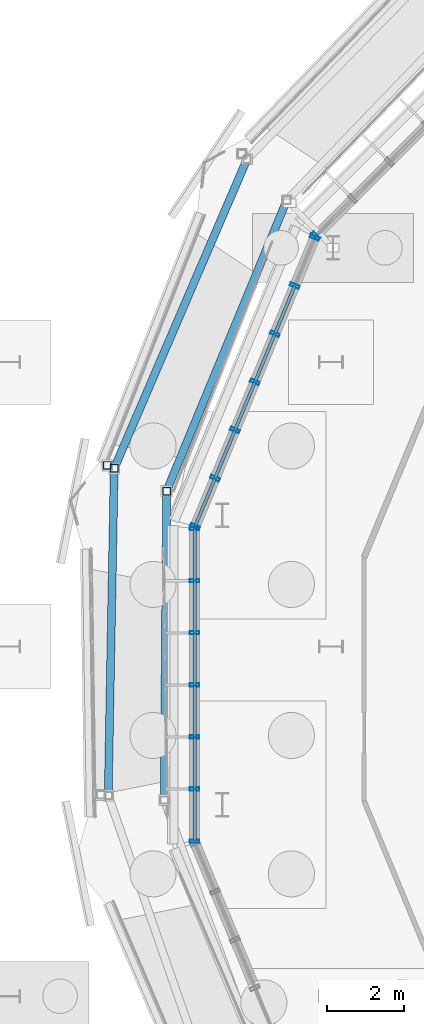
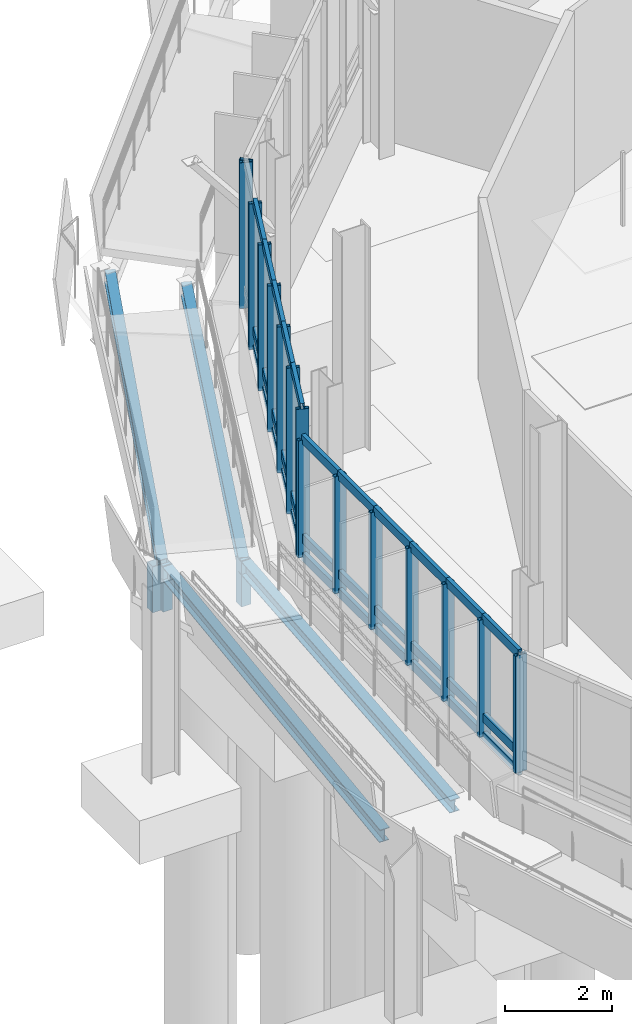
# One storey, part 48 of 119: 51 members, 4 beams, 3 elements without a shape of their own.
"""IFC4 building model written with IfcOpenShell, lengths in metres."""

from ifc_helpers import new_model, si_unit, derived_unit, direction, frame, origin, origin_2d, place, context, subcontext, project, spatial, hollow_rectangle, i_section, extrude, material, layer, layer_set, material_profile, profile_set, type_object, element, aggregate, save


model = new_model("IFC4")

# Units and contexts
model_context = context("Model", 3, precision=1e-05, world=origin(), true_north=direction((0.0, 1.0)))
body_context = subcontext(model_context, "Body", "Model", "MODEL_VIEW")
ifc_project = project(units=[si_unit("LENGTHUNIT", "METRE"), si_unit("AREAUNIT", "SQUARE_METRE"), si_unit("VOLUMEUNIT", "CUBIC_METRE"), si_unit("PLANEANGLEUNIT", "RADIAN"), si_unit("MASSUNIT", "GRAM", prefix="KILO"), derived_unit("THERMALTRANSMITTANCEUNIT", [(si_unit("MASSUNIT", "GRAM", prefix="KILO"), 1), (si_unit("TIMEUNIT", "SECOND"), -3), (si_unit("THERMODYNAMICTEMPERATUREUNIT", "KELVIN"), -1)])], contexts=[model_context])

# Site, building, storey
site_placement = place(None, origin())
site = spatial("IfcSite", under=ifc_project, at=site_placement, CompositionType="ELEMENT")
building_placement = place(site_placement, origin())
building = spatial("IfcBuilding", under=site, at=building_placement, Name="Makaiwela Harbour Ferry Terminal", CompositionType="ELEMENT")
storey_placement = place(building_placement, origin())
storey = spatial("IfcBuildingStorey", under=building, at=storey_placement, Name="L00", CompositionType="ELEMENT", Elevation=0.0)

# Curtain wall, member
ifc_material_1 = material(Name="Marine anodised aluminium 6063-T6", Category="aluminium")
ifc_layer_1 = layer(ifc_material_1, 0.199951171875)
ifc_layer_set_1 = layer_set([ifc_layer_1], Name="Marine anodised aluminium 6063-T6")
curtain_wall_type_1 = type_object("IfcCurtainWallType", Name="ENV-CW-01", PredefinedType="USERDEFINED", material=ifc_layer_set_1)
curtain_wall_1_placement = place(storey_placement, origin())
curtain_wall_1 = element("IfcCurtainWall", 1, at=curtain_wall_1_placement, inside=storey, type_object=curtain_wall_type_1, Name="Unitised Curtain Wall CWA-004", ObjectType="UNITIZED CURTAIN WALL", PredefinedType="USERDEFINED")
ifc_material_profile_1 = material_profile(ifc_material_1, hollow_rectangle(XDim=0.0849609375, YDim=0.25, WallThickness=0.0048828125, at=origin_2d()), Name="CWM-250X85")
ifc_profile_set_1 = profile_set([ifc_material_profile_1], Name="Marine anodised aluminium 6063-T6")
member_type_1 = type_object("IfcMemberType", Name="CW-MUL-250", PredefinedType="MULLION", material=ifc_profile_set_1)
member_1_placement = place(storey_placement, frame((20.6103515625, 79.13818359375, 1.47998046875), z_axis=(0.0, 0.0, 1.0), x_axis=(0.707106781187, 0.707106781187, 0.0)))
member_1 = element("IfcMember", 2, at=member_1_placement, type_object=member_type_1, Name="Curtain Wall Mullion CWA-004-7", PredefinedType="MULLION", context=body_context, shape_type="SweptSolid", body=[
    extrude(hollow_rectangle(XDim=0.0849609375, YDim=0.25, WallThickness=0.0048828125, at=origin_2d()), origin(), (0.0, 0.0, 1.0), 3.340087890625),
])
aggregate(curtain_wall_1, [member_1])

# Curtain wall, members
curtain_wall_2_placement = place(storey_placement, origin())
curtain_wall_2 = element("IfcCurtainWall", 3, at=curtain_wall_2_placement, inside=storey, type_object=curtain_wall_type_1, Name="Unitised Curtain Wall CWA-005", ObjectType="UNITIZED CURTAIN WALL", PredefinedType="USERDEFINED")
member_2_placement = place(storey_placement, frame((20.57763671875, 79.08935546875, 1.47998046875), z_axis=(0.0, 0.0, 1.0), x_axis=(0.382683432365, 0.923879532511, 0.0)))
member_2 = element("IfcMember", 4, at=member_2_placement, type_object=member_type_1, Name="Curtain Wall Mullion CWA-005-1", PredefinedType="MULLION", context=body_context, shape_type="SweptSolid", body=[
    extrude(hollow_rectangle(XDim=0.0849609375, YDim=0.25, WallThickness=0.0048828125, at=origin_2d()), origin(), (0.0, 0.0, 1.0), 3.340087890625),
])
member_3_placement = place(storey_placement, frame((20.058837890625, 77.8369140625, 1.47998046875), z_axis=(0.0, 0.0, 1.0), x_axis=(0.382683432365, 0.923879532511, 0.0)))
member_3 = element("IfcMember", 5, at=member_3_placement, type_object=member_type_1, Name="Curtain Wall Mullion CWA-005-2", PredefinedType="MULLION", context=body_context, shape_type="SweptSolid", body=[
    extrude(hollow_rectangle(XDim=0.0849609375, YDim=0.25, WallThickness=0.0048828125, at=origin_2d()), origin(), (0.0, 0.0, 1.0), 3.340087890625),
])
member_4_placement = place(storey_placement, frame((19.5400390625, 76.58447265625, 1.47998046875), z_axis=(0.0, 0.0, 1.0), x_axis=(0.382683432365, 0.923879532511, 0.0)))
member_4 = element("IfcMember", 6, at=member_4_placement, type_object=member_type_1, Name="Curtain Wall Mullion CWA-005-3", PredefinedType="MULLION", context=body_context, shape_type="SweptSolid", body=[
    extrude(hollow_rectangle(XDim=0.0849609375, YDim=0.25, WallThickness=0.0048828125, at=origin_2d()), origin(), (0.0, 0.0, 1.0), 3.340087890625),
])
member_5_placement = place(storey_placement, frame((19.021240234375, 75.33203125, 1.47998046875), z_axis=(0.0, 0.0, 1.0), x_axis=(0.382683432365, 0.923879532511, 0.0)))
member_5 = element("IfcMember", 7, at=member_5_placement, type_object=member_type_1, Name="Curtain Wall Mullion CWA-005-4", PredefinedType="MULLION", context=body_context, shape_type="SweptSolid", body=[
    extrude(hollow_rectangle(XDim=0.0849609375, YDim=0.25, WallThickness=0.0048828125, at=origin_2d()), origin(), (0.0, 0.0, 1.0), 3.340087890625),
])
member_6_placement = place(storey_placement, frame((18.50244140625, 74.07958984375, 1.47998046875), z_axis=(0.0, 0.0, 1.0), x_axis=(0.382683432365, 0.923879532511, 0.0)))
member_6 = element("IfcMember", 8, at=member_6_placement, type_object=member_type_1, Name="Curtain Wall Mullion CWA-005-5", PredefinedType="MULLION", context=body_context, shape_type="SweptSolid", body=[
    extrude(hollow_rectangle(XDim=0.0849609375, YDim=0.25, WallThickness=0.0048828125, at=origin_2d()), origin(), (0.0, 0.0, 1.0), 3.340087890625),
])
member_7_placement = place(storey_placement, frame((17.98388671875, 72.826904296875, 1.47998046875), z_axis=(0.0, 0.0, 1.0), x_axis=(0.382683432365, 0.923879532511, 0.0)))
member_7 = element("IfcMember", 9, at=member_7_placement, type_object=member_type_1, Name="Curtain Wall Mullion CWA-005-6", PredefinedType="MULLION", context=body_context, shape_type="SweptSolid", body=[
    extrude(hollow_rectangle(XDim=0.0849609375, YDim=0.25, WallThickness=0.0048828125, at=origin_2d()), origin(), (0.0, 0.0, 1.0), 3.340087890625),
])
member_8_placement = place(storey_placement, frame((17.465087890625, 71.57470703125, 1.47998046875), z_axis=(0.0, 0.0, 1.0), x_axis=(0.382683432365, 0.923879532511, 0.0)))
member_8 = element("IfcMember", 10, at=member_8_placement, type_object=member_type_1, Name="Curtain Wall Mullion CWA-005-7", PredefinedType="MULLION", context=body_context, shape_type="SweptSolid", body=[
    extrude(hollow_rectangle(XDim=0.0849609375, YDim=0.25, WallThickness=0.0048828125, at=origin_2d()), origin(), (0.0, 0.0, 1.0), 3.340087890625),
])

ifc_layer_2 = layer(ifc_material_1, 0.199951171875)
ifc_layer_set_2 = layer_set([ifc_layer_2], Name="Marine anodised aluminium 6063-T6")
curtain_wall_type_2 = type_object("IfcCurtainWallType", Name="ENV-CW-02", PredefinedType="USERDEFINED", material=ifc_layer_set_2)
curtain_wall_3_placement = place(storey_placement, origin())
curtain_wall_3 = element("IfcCurtainWall", 11, at=curtain_wall_3_placement, inside=storey, type_object=curtain_wall_type_2, Name="Unitised Curtain Wall CWA-006", ObjectType="UNITIZED CURTAIN WALL", PredefinedType="USERDEFINED")
member_9_placement = place(storey_placement, frame((17.45361328125, 71.516845703125, 1.47998046875), z_axis=(0.0, 0.0, 1.0), x_axis=(0.0, 1.0, 0.0)))
member_9 = element("IfcMember", 12, at=member_9_placement, type_object=member_type_1, Name="Curtain Wall Mullion CWA-006-1", PredefinedType="MULLION", context=body_context, shape_type="SweptSolid", body=[
    extrude(hollow_rectangle(XDim=0.0849609375, YDim=0.25, WallThickness=0.0048828125, at=origin_2d()), origin(), (0.0, 0.0, 1.0), 2.679931640625),
])
member_10_placement = place(storey_placement, frame((17.45361328125, 70.161376953125, 1.47998046875), z_axis=(0.0, 0.0, 1.0), x_axis=(0.0, 1.0, 0.0)))
member_10 = element("IfcMember", 13, at=member_10_placement, type_object=member_type_1, Name="Curtain Wall Mullion CWA-006-2", PredefinedType="MULLION", context=body_context, shape_type="SweptSolid", body=[
    extrude(hollow_rectangle(XDim=0.0849609375, YDim=0.25, WallThickness=0.0048828125, at=origin_2d()), origin(), (0.0, 0.0, 1.0), 2.679931640625),
])
member_11_placement = place(storey_placement, frame((17.45361328125, 68.8056640625, 1.47998046875), z_axis=(0.0, 0.0, 1.0), x_axis=(0.0, 1.0, 0.0)))
member_11 = element("IfcMember", 14, at=member_11_placement, type_object=member_type_1, Name="Curtain Wall Mullion CWA-006-3", PredefinedType="MULLION", context=body_context, shape_type="SweptSolid", body=[
    extrude(hollow_rectangle(XDim=0.0849609375, YDim=0.25, WallThickness=0.0048828125, at=origin_2d()), origin(), (0.0, 0.0, 1.0), 2.679931640625),
])
member_12_placement = place(storey_placement, frame((17.45361328125, 67.449951171875, 1.47998046875), z_axis=(0.0, 0.0, 1.0), x_axis=(0.0, 1.0, 0.0)))
member_12 = element("IfcMember", 15, at=member_12_placement, type_object=member_type_1, Name="Curtain Wall Mullion CWA-006-4", PredefinedType="MULLION", context=body_context, shape_type="SweptSolid", body=[
    extrude(hollow_rectangle(XDim=0.0849609375, YDim=0.25, WallThickness=0.0048828125, at=origin_2d()), origin(), (0.0, 0.0, 1.0), 2.679931640625),
])
member_13_placement = place(storey_placement, frame((17.45361328125, 66.094482421875, 1.47998046875), z_axis=(0.0, 0.0, 1.0), x_axis=(0.0, 1.0, 0.0)))
member_13 = element("IfcMember", 16, at=member_13_placement, type_object=member_type_1, Name="Curtain Wall Mullion CWA-006-5", PredefinedType="MULLION", context=body_context, shape_type="SweptSolid", body=[
    extrude(hollow_rectangle(XDim=0.0849609375, YDim=0.25, WallThickness=0.0048828125, at=origin_2d()), origin(), (0.0, 0.0, 1.0), 2.679931640625),
])
member_14_placement = place(storey_placement, frame((17.45361328125, 64.73876953125, 1.47998046875), z_axis=(0.0, 0.0, 1.0), x_axis=(0.0, 1.0, 0.0)))
member_14 = element("IfcMember", 17, at=member_14_placement, type_object=member_type_1, Name="Curtain Wall Mullion CWA-006-6", PredefinedType="MULLION", context=body_context, shape_type="SweptSolid", body=[
    extrude(hollow_rectangle(XDim=0.0849609375, YDim=0.25, WallThickness=0.0048828125, at=origin_2d()), origin(), (0.0, 0.0, 1.0), 2.679931640625),
])
member_15_placement = place(storey_placement, frame((17.45361328125, 63.383056640625, 1.47998046875), z_axis=(0.0, 0.0, 1.0), x_axis=(0.0, 1.0, 0.0)))
member_15 = element("IfcMember", 18, at=member_15_placement, type_object=member_type_1, Name="Curtain Wall Mullion CWA-006-7", PredefinedType="MULLION", context=body_context, shape_type="SweptSolid", body=[
    extrude(hollow_rectangle(XDim=0.0849609375, YDim=0.25, WallThickness=0.0048828125, at=origin_2d()), origin(), (0.0, 0.0, 1.0), 2.679931640625),
])

# Member
ifc_material_profile_2 = material_profile(ifc_material_1, hollow_rectangle(XDim=0.0849609375, YDim=0.199951171875, WallThickness=0.0048828125, at=origin_2d()), Name="CWT-200X85")
ifc_profile_set_2 = profile_set([ifc_material_profile_2], Name="Marine anodised aluminium 6063-T6")
member_type_2 = type_object("IfcMemberType", Name="CW-TRN-200", PredefinedType="USERDEFINED", material=ifc_profile_set_2)
member_16_placement = place(storey_placement, frame((20.058837890625, 77.8369140625, 1.47998046875), z_axis=(-0.382696410016, -0.923874156886, 0.0), x_axis=(0.923874156886, -0.382696410016, 0.0)))
member_16 = element("IfcMember", 19, at=member_16_placement, type_object=member_type_2, Name="Curtain Wall Transom CWA-005-2-1", ObjectType="TRANSOM", PredefinedType="USERDEFINED", context=body_context, shape_type="SweptSolid", body=[
    extrude(hollow_rectangle(XDim=0.0849609375, YDim=0.199951171875, WallThickness=0.0048828125, at=origin_2d()), origin(), (0.0, 0.0, 1.0), 1.355712890625),
])

member_17_placement = place(storey_placement, frame((20.058837890625, 77.8369140625, 1.89990234375), z_axis=(-0.382696410016, -0.923874156886, 0.0), x_axis=(0.923874156886, -0.382696410016, 0.0)))
member_17 = element("IfcMember", 20, at=member_17_placement, type_object=member_type_2, Name="Curtain Wall Transom CWA-005-2-2", ObjectType="TRANSOM", PredefinedType="USERDEFINED", context=body_context, shape_type="SweptSolid", body=[
    extrude(hollow_rectangle(XDim=0.0849609375, YDim=0.199951171875, WallThickness=0.0048828125, at=origin_2d()), origin(), (0.0, 0.0, 1.0), 1.355712890625),
])

member_18_placement = place(storey_placement, frame((20.058837890625, 77.8369140625, 4.820068359375), z_axis=(-0.382696410016, -0.923874156886, 0.0), x_axis=(0.923874156886, -0.382696410016, 0.0)))
member_18 = element("IfcMember", 21, at=member_18_placement, type_object=member_type_2, Name="Curtain Wall Transom CWA-005-2-3", ObjectType="TRANSOM", PredefinedType="USERDEFINED", context=body_context, shape_type="SweptSolid", body=[
    extrude(hollow_rectangle(XDim=0.0849609375, YDim=0.199951171875, WallThickness=0.0048828125, at=origin_2d()), origin(), (0.0, 0.0, 1.0), 1.355712890625),
])

member_19_placement = place(storey_placement, frame((19.5400390625, 76.58447265625, 1.47998046875), z_axis=(-0.382696410016, -0.923874156886, 0.0), x_axis=(0.923874156886, -0.382696410016, 0.0)))
member_19 = element("IfcMember", 22, at=member_19_placement, type_object=member_type_2, Name="Curtain Wall Transom CWA-005-3-1", ObjectType="TRANSOM", PredefinedType="USERDEFINED", context=body_context, shape_type="SweptSolid", body=[
    extrude(hollow_rectangle(XDim=0.0849609375, YDim=0.199951171875, WallThickness=0.0048828125, at=origin_2d()), origin(), (0.0, 0.0, 1.0), 1.355712890625),
])

member_20_placement = place(storey_placement, frame((19.5400390625, 76.58447265625, 1.89990234375), z_axis=(-0.382696410016, -0.923874156886, 0.0), x_axis=(0.923874156886, -0.382696410016, 0.0)))
member_20 = element("IfcMember", 23, at=member_20_placement, type_object=member_type_2, Name="Curtain Wall Transom CWA-005-3-2", ObjectType="TRANSOM", PredefinedType="USERDEFINED", context=body_context, shape_type="SweptSolid", body=[
    extrude(hollow_rectangle(XDim=0.0849609375, YDim=0.199951171875, WallThickness=0.0048828125, at=origin_2d()), origin(), (0.0, 0.0, 1.0), 1.355712890625),
])

member_21_placement = place(storey_placement, frame((19.5400390625, 76.58447265625, 4.820068359375), z_axis=(-0.382696410016, -0.923874156886, 0.0), x_axis=(0.923874156886, -0.382696410016, 0.0)))
member_21 = element("IfcMember", 24, at=member_21_placement, type_object=member_type_2, Name="Curtain Wall Transom CWA-005-3-3", ObjectType="TRANSOM", PredefinedType="USERDEFINED", context=body_context, shape_type="SweptSolid", body=[
    extrude(hollow_rectangle(XDim=0.0849609375, YDim=0.199951171875, WallThickness=0.0048828125, at=origin_2d()), origin(), (0.0, 0.0, 1.0), 1.355712890625),
])

member_22_placement = place(storey_placement, frame((19.021240234375, 75.33203125, 1.47998046875), z_axis=(-0.382696410016, -0.923874156886, 0.0), x_axis=(0.923874156886, -0.382696410016, 0.0)))
member_22 = element("IfcMember", 25, at=member_22_placement, type_object=member_type_2, Name="Curtain Wall Transom CWA-005-4-1", ObjectType="TRANSOM", PredefinedType="USERDEFINED", context=body_context, shape_type="SweptSolid", body=[
    extrude(hollow_rectangle(XDim=0.0849609375, YDim=0.199951171875, WallThickness=0.0048828125, at=origin_2d()), origin(), (0.0, 0.0, 1.0), 1.355712890625),
])

member_23_placement = place(storey_placement, frame((19.021240234375, 75.33203125, 1.89990234375), z_axis=(-0.382696410016, -0.923874156886, 0.0), x_axis=(0.923874156886, -0.382696410016, 0.0)))
member_23 = element("IfcMember", 26, at=member_23_placement, type_object=member_type_2, Name="Curtain Wall Transom CWA-005-4-2", ObjectType="TRANSOM", PredefinedType="USERDEFINED", context=body_context, shape_type="SweptSolid", body=[
    extrude(hollow_rectangle(XDim=0.0849609375, YDim=0.199951171875, WallThickness=0.0048828125, at=origin_2d()), origin(), (0.0, 0.0, 1.0), 1.355712890625),
])

member_24_placement = place(storey_placement, frame((19.021240234375, 75.33203125, 4.820068359375), z_axis=(-0.382696410016, -0.923874156886, 0.0), x_axis=(0.923874156886, -0.382696410016, 0.0)))
member_24 = element("IfcMember", 27, at=member_24_placement, type_object=member_type_2, Name="Curtain Wall Transom CWA-005-4-3", ObjectType="TRANSOM", PredefinedType="USERDEFINED", context=body_context, shape_type="SweptSolid", body=[
    extrude(hollow_rectangle(XDim=0.0849609375, YDim=0.199951171875, WallThickness=0.0048828125, at=origin_2d()), origin(), (0.0, 0.0, 1.0), 1.355712890625),
])

member_25_placement = place(storey_placement, frame((18.50244140625, 74.07958984375, 1.47998046875), z_axis=(-0.382479029823, -0.923964172328, 0.0), x_axis=(0.923964172328, -0.382479029823, 0.0)))
member_25 = element("IfcMember", 28, at=member_25_placement, type_object=member_type_2, Name="Curtain Wall Transom CWA-005-5-1", ObjectType="TRANSOM", PredefinedType="USERDEFINED", context=body_context, shape_type="SweptSolid", body=[
    extrude(hollow_rectangle(XDim=0.0849609375, YDim=0.199951171875, WallThickness=0.0048828125, at=origin_2d()), origin(), (0.0, 0.0, 1.0), 1.355712890625),
])

member_26_placement = place(storey_placement, frame((18.50244140625, 74.07958984375, 1.89990234375), z_axis=(-0.382479029823, -0.923964172328, 0.0), x_axis=(0.923964172328, -0.382479029823, 0.0)))
member_26 = element("IfcMember", 29, at=member_26_placement, type_object=member_type_2, Name="Curtain Wall Transom CWA-005-5-2", ObjectType="TRANSOM", PredefinedType="USERDEFINED", context=body_context, shape_type="SweptSolid", body=[
    extrude(hollow_rectangle(XDim=0.0849609375, YDim=0.199951171875, WallThickness=0.0048828125, at=origin_2d()), origin(), (0.0, 0.0, 1.0), 1.355712890625),
])

member_27_placement = place(storey_placement, frame((18.50244140625, 74.07958984375, 4.820068359375), z_axis=(-0.382479029823, -0.923964172328, 0.0), x_axis=(0.923964172328, -0.382479029823, 0.0)))
member_27 = element("IfcMember", 30, at=member_27_placement, type_object=member_type_2, Name="Curtain Wall Transom CWA-005-5-3", ObjectType="TRANSOM", PredefinedType="USERDEFINED", context=body_context, shape_type="SweptSolid", body=[
    extrude(hollow_rectangle(XDim=0.0849609375, YDim=0.199951171875, WallThickness=0.0048828125, at=origin_2d()), origin(), (0.0, 0.0, 1.0), 1.355712890625),
])

member_28_placement = place(storey_placement, frame((17.98388671875, 72.826904296875, 1.47998046875), z_axis=(-0.38276009378, -0.923847774587, 0.0), x_axis=(0.923847774587, -0.38276009378, 0.0)))
member_28 = element("IfcMember", 31, at=member_28_placement, type_object=member_type_2, Name="Curtain Wall Transom CWA-005-6-1", ObjectType="TRANSOM", PredefinedType="USERDEFINED", context=body_context, shape_type="SweptSolid", body=[
    extrude(hollow_rectangle(XDim=0.0849609375, YDim=0.199951171875, WallThickness=0.0048828125, at=origin_2d()), origin(), (0.0, 0.0, 1.0), 1.35546875),
])

member_29_placement = place(storey_placement, frame((17.98388671875, 72.826904296875, 1.89990234375), z_axis=(-0.38276009378, -0.923847774587, 0.0), x_axis=(0.923847774587, -0.38276009378, 0.0)))
member_29 = element("IfcMember", 32, at=member_29_placement, type_object=member_type_2, Name="Curtain Wall Transom CWA-005-6-2", ObjectType="TRANSOM", PredefinedType="USERDEFINED", context=body_context, shape_type="SweptSolid", body=[
    extrude(hollow_rectangle(XDim=0.0849609375, YDim=0.199951171875, WallThickness=0.0048828125, at=origin_2d()), origin(), (0.0, 0.0, 1.0), 1.35546875),
])

member_30_placement = place(storey_placement, frame((17.98388671875, 72.826904296875, 4.820068359375), z_axis=(-0.38276009378, -0.923847774587, 0.0), x_axis=(0.923847774587, -0.38276009378, 0.0)))
member_30 = element("IfcMember", 33, at=member_30_placement, type_object=member_type_2, Name="Curtain Wall Transom CWA-005-6-3", ObjectType="TRANSOM", PredefinedType="USERDEFINED", context=body_context, shape_type="SweptSolid", body=[
    extrude(hollow_rectangle(XDim=0.0849609375, YDim=0.199951171875, WallThickness=0.0048828125, at=origin_2d()), origin(), (0.0, 0.0, 1.0), 1.35546875),
])

aggregate(curtain_wall_2, [member_2, member_3, member_4, member_5, member_6, member_7, member_8, member_16, member_17, member_18, member_19, member_20, member_21, member_22, member_23, member_24, member_25, member_26, member_27, member_28, member_29, member_30])

member_31_placement = place(storey_placement, frame((17.45361328125, 71.516845703125, 1.47998046875), z_axis=(0.0, -1.0, 0.0), x_axis=(1.0, 0.0, 0.0)))
member_31 = element("IfcMember", 34, at=member_31_placement, type_object=member_type_2, Name="Curtain Wall Transom CWA-006-1-1", ObjectType="TRANSOM", PredefinedType="USERDEFINED", context=body_context, shape_type="SweptSolid", body=[
    extrude(hollow_rectangle(XDim=0.0849609375, YDim=0.199951171875, WallThickness=0.0048828125, at=origin_2d()), origin(), (0.0, 0.0, 1.0), 1.35546875),
])

member_32_placement = place(storey_placement, frame((17.45361328125, 71.516845703125, 1.89990234375), z_axis=(0.0, -1.0, 0.0), x_axis=(1.0, 0.0, 0.0)))
member_32 = element("IfcMember", 35, at=member_32_placement, type_object=member_type_2, Name="Curtain Wall Transom CWA-006-1-2", ObjectType="TRANSOM", PredefinedType="USERDEFINED", context=body_context, shape_type="SweptSolid", body=[
    extrude(hollow_rectangle(XDim=0.0849609375, YDim=0.199951171875, WallThickness=0.0048828125, at=origin_2d()), origin(), (0.0, 0.0, 1.0), 1.35546875),
])

member_33_placement = place(storey_placement, frame((17.45361328125, 71.516845703125, 4.159912109375), z_axis=(0.0, -1.0, 0.0), x_axis=(1.0, 0.0, 0.0)))
member_33 = element("IfcMember", 36, at=member_33_placement, type_object=member_type_2, Name="Curtain Wall Transom CWA-006-1-3", ObjectType="TRANSOM", PredefinedType="USERDEFINED", context=body_context, shape_type="SweptSolid", body=[
    extrude(hollow_rectangle(XDim=0.0849609375, YDim=0.199951171875, WallThickness=0.0048828125, at=origin_2d()), origin(), (0.0, 0.0, 1.0), 1.35546875),
])

member_34_placement = place(storey_placement, frame((17.45361328125, 70.161376953125, 1.47998046875), z_axis=(0.0, -1.0, 0.0), x_axis=(1.0, 0.0, 0.0)))
member_34 = element("IfcMember", 37, at=member_34_placement, type_object=member_type_2, Name="Curtain Wall Transom CWA-006-2-1", ObjectType="TRANSOM", PredefinedType="USERDEFINED", context=body_context, shape_type="SweptSolid", body=[
    extrude(hollow_rectangle(XDim=0.0849609375, YDim=0.199951171875, WallThickness=0.0048828125, at=origin_2d()), origin(), (0.0, 0.0, 1.0), 1.355712890625),
])

member_35_placement = place(storey_placement, frame((17.45361328125, 70.161376953125, 1.89990234375), z_axis=(0.0, -1.0, 0.0), x_axis=(1.0, 0.0, 0.0)))
member_35 = element("IfcMember", 38, at=member_35_placement, type_object=member_type_2, Name="Curtain Wall Transom CWA-006-2-2", ObjectType="TRANSOM", PredefinedType="USERDEFINED", context=body_context, shape_type="SweptSolid", body=[
    extrude(hollow_rectangle(XDim=0.0849609375, YDim=0.199951171875, WallThickness=0.0048828125, at=origin_2d()), origin(), (0.0, 0.0, 1.0), 1.355712890625),
])

member_36_placement = place(storey_placement, frame((17.45361328125, 70.161376953125, 4.159912109375), z_axis=(0.0, -1.0, 0.0), x_axis=(1.0, 0.0, 0.0)))
member_36 = element("IfcMember", 39, at=member_36_placement, type_object=member_type_2, Name="Curtain Wall Transom CWA-006-2-3", ObjectType="TRANSOM", PredefinedType="USERDEFINED", context=body_context, shape_type="SweptSolid", body=[
    extrude(hollow_rectangle(XDim=0.0849609375, YDim=0.199951171875, WallThickness=0.0048828125, at=origin_2d()), origin(), (0.0, 0.0, 1.0), 1.355712890625),
])

member_37_placement = place(storey_placement, frame((17.45361328125, 68.8056640625, 1.47998046875), z_axis=(0.0, -1.0, 0.0), x_axis=(1.0, 0.0, 0.0)))
member_37 = element("IfcMember", 40, at=member_37_placement, type_object=member_type_2, Name="Curtain Wall Transom CWA-006-3-1", ObjectType="TRANSOM", PredefinedType="USERDEFINED", context=body_context, shape_type="SweptSolid", body=[
    extrude(hollow_rectangle(XDim=0.0849609375, YDim=0.199951171875, WallThickness=0.0048828125, at=origin_2d()), origin(), (0.0, 0.0, 1.0), 1.355712890625),
])

member_38_placement = place(storey_placement, frame((17.45361328125, 68.8056640625, 1.89990234375), z_axis=(0.0, -1.0, 0.0), x_axis=(1.0, 0.0, 0.0)))
member_38 = element("IfcMember", 41, at=member_38_placement, type_object=member_type_2, Name="Curtain Wall Transom CWA-006-3-2", ObjectType="TRANSOM", PredefinedType="USERDEFINED", context=body_context, shape_type="SweptSolid", body=[
    extrude(hollow_rectangle(XDim=0.0849609375, YDim=0.199951171875, WallThickness=0.0048828125, at=origin_2d()), origin(), (0.0, 0.0, 1.0), 1.355712890625),
])

member_39_placement = place(storey_placement, frame((17.45361328125, 68.8056640625, 4.159912109375), z_axis=(0.0, -1.0, 0.0), x_axis=(1.0, 0.0, 0.0)))
member_39 = element("IfcMember", 42, at=member_39_placement, type_object=member_type_2, Name="Curtain Wall Transom CWA-006-3-3", ObjectType="TRANSOM", PredefinedType="USERDEFINED", context=body_context, shape_type="SweptSolid", body=[
    extrude(hollow_rectangle(XDim=0.0849609375, YDim=0.199951171875, WallThickness=0.0048828125, at=origin_2d()), origin(), (0.0, 0.0, 1.0), 1.355712890625),
])

member_40_placement = place(storey_placement, frame((17.45361328125, 67.449951171875, 1.47998046875), z_axis=(0.0, -1.0, 0.0), x_axis=(1.0, 0.0, 0.0)))
member_40 = element("IfcMember", 43, at=member_40_placement, type_object=member_type_2, Name="Curtain Wall Transom CWA-006-4-1", ObjectType="TRANSOM", PredefinedType="USERDEFINED", context=body_context, shape_type="SweptSolid", body=[
    extrude(hollow_rectangle(XDim=0.0849609375, YDim=0.199951171875, WallThickness=0.0048828125, at=origin_2d()), origin(), (0.0, 0.0, 1.0), 1.35546875),
])

member_41_placement = place(storey_placement, frame((17.45361328125, 67.449951171875, 1.89990234375), z_axis=(0.0, -1.0, 0.0), x_axis=(1.0, 0.0, 0.0)))
member_41 = element("IfcMember", 44, at=member_41_placement, type_object=member_type_2, Name="Curtain Wall Transom CWA-006-4-2", ObjectType="TRANSOM", PredefinedType="USERDEFINED", context=body_context, shape_type="SweptSolid", body=[
    extrude(hollow_rectangle(XDim=0.0849609375, YDim=0.199951171875, WallThickness=0.0048828125, at=origin_2d()), origin(), (0.0, 0.0, 1.0), 1.35546875),
])

member_42_placement = place(storey_placement, frame((17.45361328125, 67.449951171875, 4.159912109375), z_axis=(0.0, -1.0, 0.0), x_axis=(1.0, 0.0, 0.0)))
member_42 = element("IfcMember", 45, at=member_42_placement, type_object=member_type_2, Name="Curtain Wall Transom CWA-006-4-3", ObjectType="TRANSOM", PredefinedType="USERDEFINED", context=body_context, shape_type="SweptSolid", body=[
    extrude(hollow_rectangle(XDim=0.0849609375, YDim=0.199951171875, WallThickness=0.0048828125, at=origin_2d()), origin(), (0.0, 0.0, 1.0), 1.35546875),
])

member_43_placement = place(storey_placement, frame((17.45361328125, 66.094482421875, 1.47998046875), z_axis=(0.0, -1.0, 0.0), x_axis=(1.0, 0.0, 0.0)))
member_43 = element("IfcMember", 46, at=member_43_placement, type_object=member_type_2, Name="Curtain Wall Transom CWA-006-5-1", ObjectType="TRANSOM", PredefinedType="USERDEFINED", context=body_context, shape_type="SweptSolid", body=[
    extrude(hollow_rectangle(XDim=0.0849609375, YDim=0.199951171875, WallThickness=0.0048828125, at=origin_2d()), origin(), (0.0, 0.0, 1.0), 1.355712890625),
])

member_44_placement = place(storey_placement, frame((17.45361328125, 66.094482421875, 1.89990234375), z_axis=(0.0, -1.0, 0.0), x_axis=(1.0, 0.0, 0.0)))
member_44 = element("IfcMember", 47, at=member_44_placement, type_object=member_type_2, Name="Curtain Wall Transom CWA-006-5-2", ObjectType="TRANSOM", PredefinedType="USERDEFINED", context=body_context, shape_type="SweptSolid", body=[
    extrude(hollow_rectangle(XDim=0.0849609375, YDim=0.199951171875, WallThickness=0.0048828125, at=origin_2d()), origin(), (0.0, 0.0, 1.0), 1.355712890625),
])

member_45_placement = place(storey_placement, frame((17.45361328125, 66.094482421875, 4.159912109375), z_axis=(0.0, -1.0, 0.0), x_axis=(1.0, 0.0, 0.0)))
member_45 = element("IfcMember", 48, at=member_45_placement, type_object=member_type_2, Name="Curtain Wall Transom CWA-006-5-3", ObjectType="TRANSOM", PredefinedType="USERDEFINED", context=body_context, shape_type="SweptSolid", body=[
    extrude(hollow_rectangle(XDim=0.0849609375, YDim=0.199951171875, WallThickness=0.0048828125, at=origin_2d()), origin(), (0.0, 0.0, 1.0), 1.355712890625),
])

member_46_placement = place(storey_placement, frame((17.45361328125, 64.73876953125, 1.47998046875), z_axis=(0.0, -1.0, 0.0), x_axis=(1.0, 0.0, 0.0)))
member_46 = element("IfcMember", 49, at=member_46_placement, type_object=member_type_2, Name="Curtain Wall Transom CWA-006-6-1", ObjectType="TRANSOM", PredefinedType="USERDEFINED", context=body_context, shape_type="SweptSolid", body=[
    extrude(hollow_rectangle(XDim=0.0849609375, YDim=0.199951171875, WallThickness=0.0048828125, at=origin_2d()), origin(), (0.0, 0.0, 1.0), 1.355712890625),
])

member_47_placement = place(storey_placement, frame((17.45361328125, 64.73876953125, 1.89990234375), z_axis=(0.0, -1.0, 0.0), x_axis=(1.0, 0.0, 0.0)))
member_47 = element("IfcMember", 50, at=member_47_placement, type_object=member_type_2, Name="Curtain Wall Transom CWA-006-6-2", ObjectType="TRANSOM", PredefinedType="USERDEFINED", context=body_context, shape_type="SweptSolid", body=[
    extrude(hollow_rectangle(XDim=0.0849609375, YDim=0.199951171875, WallThickness=0.0048828125, at=origin_2d()), origin(), (0.0, 0.0, 1.0), 1.355712890625),
])

member_48_placement = place(storey_placement, frame((17.45361328125, 64.73876953125, 4.159912109375), z_axis=(0.0, -1.0, 0.0), x_axis=(1.0, 0.0, 0.0)))
member_48 = element("IfcMember", 51, at=member_48_placement, type_object=member_type_2, Name="Curtain Wall Transom CWA-006-6-3", ObjectType="TRANSOM", PredefinedType="USERDEFINED", context=body_context, shape_type="SweptSolid", body=[
    extrude(hollow_rectangle(XDim=0.0849609375, YDim=0.199951171875, WallThickness=0.0048828125, at=origin_2d()), origin(), (0.0, 0.0, 1.0), 1.355712890625),
])

aggregate(curtain_wall_3, [member_9, member_10, member_11, member_12, member_13, member_14, member_15, member_31, member_32, member_33, member_34, member_35, member_36, member_37, member_38, member_39, member_40, member_41, member_42, member_43, member_44, member_45, member_46, member_47, member_48])

# Beams
ifc_material_2 = material(Name="Steel ASTM A992 Grade 50", Category="steel")
ifc_material_profile_3 = material_profile(ifc_material_2, i_section(OverallWidth=0.205078125, OverallDepth=0.31005859375, WebThickness=0.009521484375, FlangeThickness=0.016357421875, at=origin_2d()), Name="W12X50")
ifc_profile_set_3 = profile_set([ifc_material_profile_3], Name="Steel ASTM A992 Grade 50")
beam_type = type_object("IfcBeamType", Name="STR-LNT-W12X50", PredefinedType="LINTEL", material=ifc_profile_set_3)
beam_1_placement = place(storey_placement, frame((16.66064453125, 64.456298828125, 0.3076171875), z_axis=(0.007752318276, 0.996839113291, 0.079067589914), x_axis=(-0.999969761283, 0.007776665013, 0.0)))
element("IfcBeam", 52, at=beam_1_placement, inside=storey, type_object=beam_type, Name="Coiled Ramp Stringer L00-F2-IN", PredefinedType="LINTEL", context=body_context, shape_type="SweptSolid", body=[
    extrude(i_section(OverallWidth=0.205078125, OverallDepth=0.31005859375, WebThickness=0.009521484375, FlangeThickness=0.016357421875, at=origin_2d()), origin(), (0.0, 0.0, 1.0), 8.06201171875),
])
beam_2_placement = place(storey_placement, frame((15.203369140625, 64.573486328125, 0.06884765625), z_axis=(0.01826026472, 0.994613793961, 0.102029229122), x_axis=(-0.99983151338, 0.018356057618, 0.0)))
element("IfcBeam", 53, at=beam_2_placement, inside=storey, type_object=beam_type, Name="Coiled Ramp Stringer L00-F2-OUT", PredefinedType="LINTEL", context=body_context, shape_type="SweptSolid", body=[
    extrude(i_section(OverallWidth=0.205078125, OverallDepth=0.31005859375, WebThickness=0.009521484375, FlangeThickness=0.016357421875, at=origin_2d()), origin(), (0.0, 0.0, 1.0), 8.556884765625),
])
beam_3_placement = place(storey_placement, frame((16.72314453125, 72.492919921875, 0.945068359375), z_axis=(0.380762718925, 0.921410111159, 0.077609013202), x_axis=(-0.924197609427, 0.381914622303, 0.0)))
element("IfcBeam", 54, at=beam_3_placement, inside=storey, type_object=beam_type, Name="Coiled Ramp Stringer L00-F3-IN", PredefinedType="LINTEL", context=body_context, shape_type="SweptSolid", body=[
    extrude(i_section(OverallWidth=0.205078125, OverallDepth=0.31005859375, WebThickness=0.009521484375, FlangeThickness=0.016357421875, at=origin_2d()), origin(), (0.0, 0.0, 1.0), 8.213623046875),
])
beam_4_placement = place(storey_placement, frame((15.359619140625, 73.084228515625, 0.714599609375), z_axis=(0.392760726746, 0.914369616729, 0.098321999213), x_axis=(-0.918821625837, 0.394673054432, 0.0)))
element("IfcBeam", 55, at=beam_4_placement, inside=storey, type_object=beam_type, Name="Coiled Ramp Stringer L00-F3-OUT", PredefinedType="LINTEL", context=body_context, shape_type="SweptSolid", body=[
    extrude(i_section(OverallWidth=0.205078125, OverallDepth=0.31005859375, WebThickness=0.009521484375, FlangeThickness=0.016357421875, at=origin_2d()), origin(), (0.0, 0.0, 1.0), 8.797607421875),
])

# Members
ifc_material_3 = material(Name="Steel ASTM A500 Grade C", Category="steel")
ifc_material_profile_4 = material_profile(ifc_material_3, hollow_rectangle(XDim=0.202880859375, YDim=0.202880859375, WallThickness=0.01171875, at=origin_2d()), Name="HSS8X8X1/2")
ifc_profile_set_4 = profile_set([ifc_material_profile_4], Name="Steel ASTM A500 Grade C")
member_type_3 = type_object("IfcMemberType", Name="STR-PST-HSS8", PredefinedType="POST", material=ifc_profile_set_4)
member_49_placement = place(storey_placement, frame((15.180908203125, 73.16162109375, 0.050048828125), z_axis=(0.0, 0.0, 1.0), x_axis=(1.0, 0.0, 0.0)))
element("IfcMember", 56, at=member_49_placement, inside=storey, type_object=member_type_3, Name="Exterior Ramp Support Post RP-0012", PredefinedType="POST", context=body_context, shape_type="SweptSolid", body=[
    extrude(hollow_rectangle(XDim=0.202880859375, YDim=0.202880859375, WallThickness=0.01171875, at=origin_2d()), origin(), (0.0, 0.0, 1.0), 1.054931640625),
])
member_50_placement = place(storey_placement, frame((15.359619140625, 73.084228515625, 0.050048828125), z_axis=(0.0, 0.0, 1.0), x_axis=(1.0, 0.0, 0.0)))
element("IfcMember", 57, at=member_50_placement, inside=storey, type_object=member_type_3, Name="Exterior Ramp Support Post RP-0013", PredefinedType="POST", context=body_context, shape_type="SweptSolid", body=[
    extrude(hollow_rectangle(XDim=0.202880859375, YDim=0.202880859375, WallThickness=0.01171875, at=origin_2d()), origin(), (0.0, 0.0, 1.0), 1.046875),
])
member_51_placement = place(storey_placement, frame((16.72314453125, 72.492919921875, 0.050048828125), z_axis=(0.0, 0.0, 1.0), x_axis=(1.0, 0.0, 0.0)))
element("IfcMember", 58, at=member_51_placement, inside=storey, type_object=member_type_3, Name="Exterior Ramp Support Post RP-0021", PredefinedType="POST", context=body_context, shape_type="SweptSolid", body=[
    extrude(hollow_rectangle(XDim=0.202880859375, YDim=0.202880859375, WallThickness=0.01171875, at=origin_2d()), origin(), (0.0, 0.0, 1.0), 1.050048828125),
])

save(model, "model.ifc")
